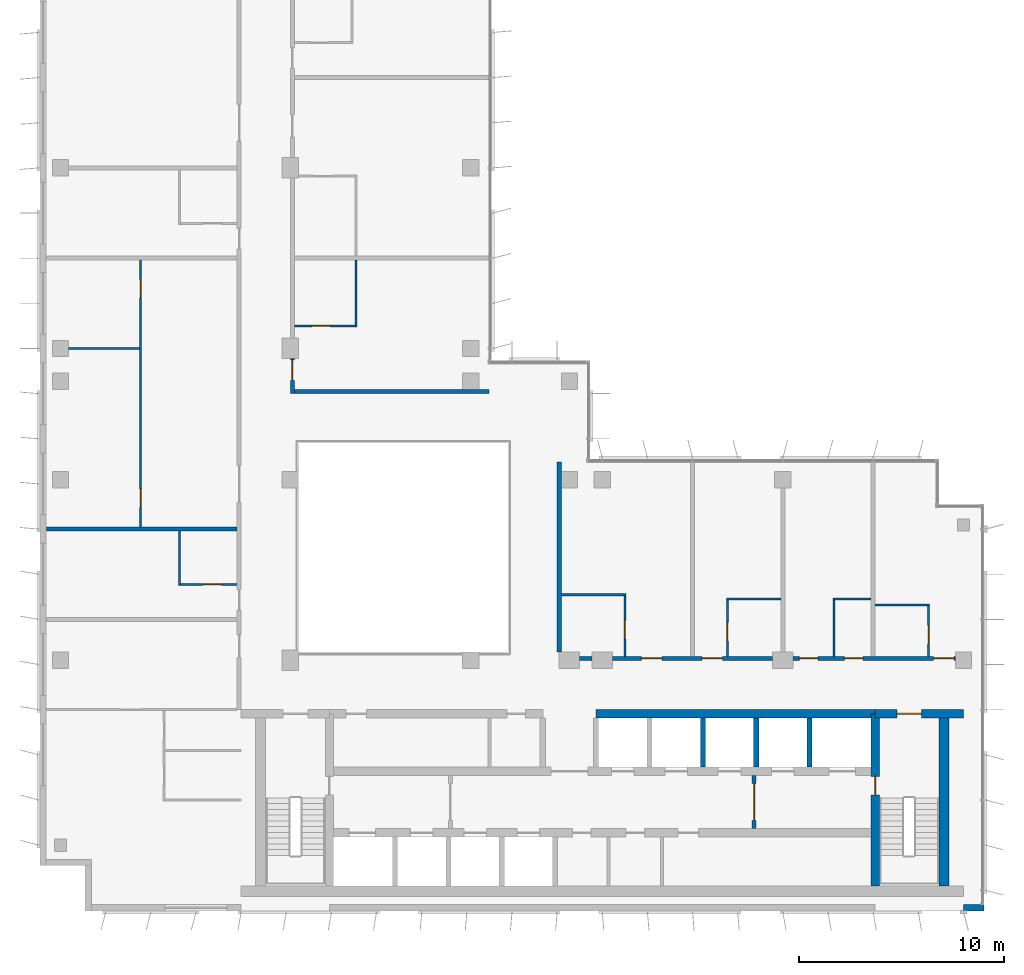
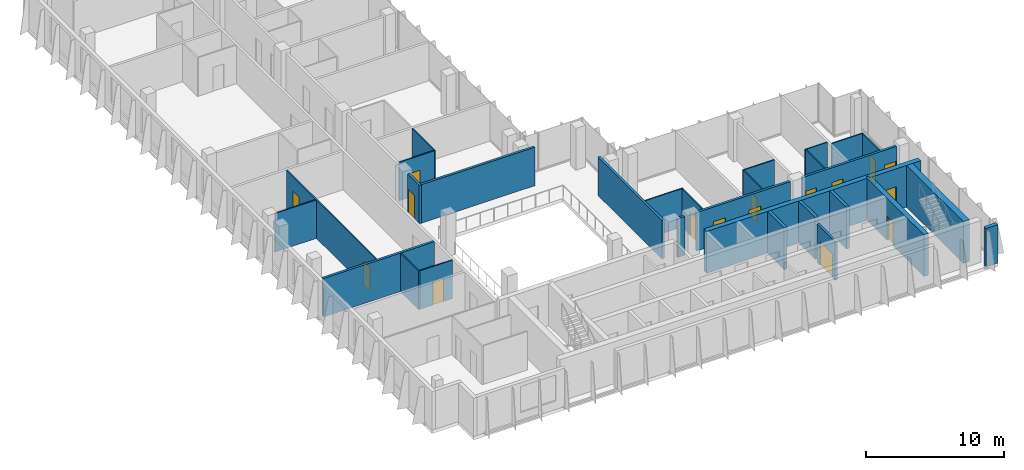
# One storey, part 10 of 15: 30 walls, 16 doors, 16 openings.
"""IFC4 building model written with IfcOpenShell, lengths in metres."""

from ifc_helpers import new_model, si_unit, direction, frame, frame_2d, origin, place, context, subcontext, project, spatial, rectangle, extrude, material, layer, layer_set, type_object, element, fill, save


model = new_model("IFC4")

# Units and contexts
model_context = context("Model", 3, precision=1e-05, world=origin(), true_north=direction((0.0, 1.0)))
body_context = subcontext(model_context, "Body", "Model", "MODEL_VIEW")
ifc_project = project(units=[si_unit("LENGTHUNIT", "METRE"), si_unit("AREAUNIT", "SQUARE_METRE"), si_unit("VOLUMEUNIT", "CUBIC_METRE"), si_unit("PLANEANGLEUNIT", "RADIAN"), si_unit("MASSUNIT", "GRAM", prefix="KILO")], contexts=[model_context])

# Site, building, storey
site_placement = place(None, origin())
site = spatial("IfcSite", under=ifc_project, at=site_placement, CompositionType="ELEMENT")
building_placement = place(site_placement, origin())
building = spatial("IfcBuilding", under=site, at=building_placement, Name="Kemantara Hotel Tower", CompositionType="ELEMENT")
storey_placement = place(building_placement, frame((0.0, 0.0, 275.89990234375)))
storey = spatial("IfcBuildingStorey", under=building, at=storey_placement, Name="L69", CompositionType="ELEMENT", Elevation=275.89990234375)

# Walls
ifc_material_1 = material(Name="Bronze anodised aluminium cladding on insulated steel stud wall", Category="steel")
ifc_layer_1 = layer(ifc_material_1, 0.300048828125)
ifc_layer_set_1 = layer_set([ifc_layer_1], Name="Bronze anodised aluminium cladding on insulated steel stud wall")
wall_type_1 = type_object("IfcWallType", Name="BRONZE METAL-CLAD EXTERNAL WALL 300", PredefinedType="STANDARD", material=ifc_layer_set_1)
wall_1_placement = place(storey_placement, frame((45.0, 0.14990234375, 0.0), z_axis=(0.0, 0.0, 1.0), x_axis=(1.0, 0.0, 0.0)))
element("IfcWall", 1, at=wall_1_placement, inside=storey, type_object=wall_type_1, Name="EXTERNAL WALL L69 T4-R08-3", PredefinedType="STANDARD", context=body_context, shape_type="SweptSolid", body=[
    extrude(rectangle(XDim=1.0, YDim=0.300048828125, at=frame_2d((0.5, 0.0))), origin(), (0.0, 0.0, 1.0), 3.400146484375),
])
ifc_material_2 = material(Name="Concrete fc 50 MPa", Category="concrete")
ifc_layer_2 = layer(ifc_material_2, 0.25)
ifc_layer_set_2 = layer_set([ifc_layer_2], Name="Concrete fc 50 MPa")
wall_type_2 = type_object("IfcWallType", Name="CORE WALL 250 FC50", PredefinedType="SHEAR", material=ifc_layer_set_2)
for number, where, z_axis, x_axis, name in (
    (2, (32.300048828125, 7.0, 0.0), (0.0, 0.0, 1.0), (0.0, 1.0, 0.0), "CORE WALL CW-DN32.3"),
    (3, (34.89990234375, 7.0, 0.0), (0.0, 0.0, 1.0), (0.0, 1.0, 0.0), "CORE WALL CW-DN34.9"),
    (4, (37.5, 7.0, 0.0), (0.0, 0.0, 1.0), (0.0, 1.0, 0.0), "CORE WALL CW-DN37.5"),
):
    element("IfcWall", number, at=place(storey_placement, frame(where, z_axis=z_axis, x_axis=x_axis)), inside=storey, type_object=wall_type_2, Name=name, PredefinedType="SHEAR", context=body_context, shape_type="SweptSolid", body=[
        extrude(rectangle(XDim=2.39990234375, YDim=0.25, at=frame_2d((1.199951171875, 0.0))), origin(), (0.0, 0.0, 1.0), 3.7001953125),
    ])

# Wall, opening, door
ifc_layer_3 = layer(ifc_material_2, 0.39990234375)
ifc_layer_set_3 = layer_set([ifc_layer_3], Name="Concrete fc 50 MPa")
wall_type_3 = type_object("IfcWallType", Name="CORE WALL 400 FC50", PredefinedType="SHEAR", material=ifc_layer_set_3)
wall_2_placement = place(storey_placement, frame((40.699951171875, 9.60009765625, 0.0), z_axis=(0.0, 0.0, 1.0), x_axis=(1.0, 0.0, 0.0)))
wall_2 = element("IfcWall", 5, at=wall_2_placement, inside=storey, type_object=wall_type_3, Name="CORE WALL CW-N2", PredefinedType="SHEAR", context=body_context, shape_type="SweptSolid", body=[
    extrude(rectangle(XDim=4.300048828125, YDim=0.39990234375, at=frame_2d((2.14990234375, 0.0))), origin(), (0.0, 0.0, 1.0), 3.7001953125),
])
opening_1_placement = place(wall_2_placement, frame((1.050048828125, 0.0, 0.0)))
opening_1 = element("IfcOpeningElement", 6, at=opening_1_placement, cuts=wall_2, Name="Opening C40-ST2-C", PredefinedType="OPENING", context=body_context, shape_type="SweptSolid", body=[
    extrude(rectangle(XDim=1.199951171875, YDim=2.10009765625, at=frame_2d((0.60009765625, 1.050048828125))), frame((0.0, 0.2099609375, 0.0), z_axis=(0.0, -1.0, 0.0), x_axis=(1.0, 0.0, 0.0)), (0.0, 0.0, 1.0), 0.419921875),
])
ifc_material_3 = material(Name="Steel fire door", Category="steel")
door_type_1 = type_object("IfcDoorType", Name="Fire door FD90 1200 x 2100", OperationType="NOTDEFINED", PredefinedType="DOOR", material=ifc_material_3)
door_1_placement = place(opening_1_placement, frame((1.199951171875, 0.0, 0.0), z_axis=(0.0, 0.0, 1.0), x_axis=(-1.0, 0.0, 0.0)))
door_1 = element("IfcDoor", 7, at=door_1_placement, inside=storey, type_object=door_type_1, Name="Stair ST2 door to corridor", OperationType="SINGLE_SWING_RIGHT", OverallHeight=2.10009765625, OverallWidth=1.199951171875, PredefinedType="DOOR", context=body_context, shape_type="SweptSolid", body=[
    extrude(rectangle(XDim=1.199951171875, YDim=2.10009765625, at=frame_2d((0.60009765625, 1.050048828125))), frame((0.0, 0.02490234375, 0.0), z_axis=(0.0, -1.0, 0.0), x_axis=(1.0, 0.0, 0.0)), (0.0, 0.0, 1.0), 0.050048828125),
])
fill(opening_1, door_1)

# Wall
wall_3_placement = place(storey_placement, frame((27.10009765625, 9.60009765625, 0.0), z_axis=(0.0, 0.0, 1.0), x_axis=(1.0, 0.0, 0.0)))
element("IfcWall", 8, at=wall_3_placement, inside=storey, type_object=wall_type_3, Name="CORE WALL CW-NN2", PredefinedType="SHEAR", context=body_context, shape_type="SweptSolid", body=[
    extrude(rectangle(XDim=13.599853515625, YDim=0.39990234375, at=frame_2d((6.7998046875, 0.0))), origin(), (0.0, 0.0, 1.0), 3.7001953125),
])

# Wall, opening, door
wall_4_placement = place(storey_placement, frame((40.699951171875, 1.199951171875, 0.0), z_axis=(0.0, 0.0, 1.0), x_axis=(0.0, 1.0, 0.0)))
wall_4 = element("IfcWall", 9, at=wall_4_placement, inside=storey, type_object=wall_type_3, Name="CORE WALL CW-ST2W", PredefinedType="SHEAR", context=body_context, shape_type="SweptSolid", body=[
    extrude(rectangle(XDim=8.400146484375, YDim=0.39990234375, at=frame_2d((4.2001953125, 0.0))), origin(), (0.0, 0.0, 1.0), 3.7001953125),
])
opening_2_placement = place(wall_4_placement, frame((4.449951171875, 0.0, 0.0)))
opening_2 = element("IfcOpeningElement", 10, at=opening_2_placement, cuts=wall_4, Name="Opening C40-ST2-F", PredefinedType="OPENING", context=body_context, shape_type="SweptSolid", body=[
    extrude(rectangle(XDim=0.89990234375, YDim=2.10009765625, at=frame_2d((0.449951171875, 1.050048828125))), frame((0.0, 0.2099609375, 0.0), z_axis=(0.0, -1.0, 0.0), x_axis=(1.0, 0.0, 0.0)), (0.0, 0.0, 1.0), 0.419921875),
])
door_type_2 = type_object("IfcDoorType", Name="Fire door FD90 900 x 2100", OperationType="NOTDEFINED", PredefinedType="DOOR", material=ifc_material_3)
door_2_placement = place(opening_2_placement, frame((0.89990234375, 0.0, 0.0), z_axis=(0.0, 0.0, 1.0), x_axis=(-1.0, 0.0, 0.0)))
door_2 = element("IfcDoor", 11, at=door_2_placement, inside=storey, type_object=door_type_2, Name="Stair ST2 door to firefighting lobby", OperationType="SINGLE_SWING_LEFT", OverallHeight=2.10009765625, OverallWidth=0.89990234375, PredefinedType="DOOR", context=body_context, shape_type="SweptSolid", body=[
    extrude(rectangle(XDim=0.89990234375, YDim=2.10009765625, at=frame_2d((0.449951171875, 1.050048828125))), frame((0.0, 0.02490234375, 0.0), z_axis=(0.0, -1.0, 0.0), x_axis=(1.0, 0.0, 0.0)), (0.0, 0.0, 1.0), 0.050048828125),
])
fill(opening_2, door_2)

# Walls
ifc_layer_4 = layer(ifc_material_2, 0.5)
ifc_layer_set_4 = layer_set([ifc_layer_4], Name="Concrete fc 50 MPa")
wall_type_4 = type_object("IfcWallType", Name="CORE WALL 500 FC50", PredefinedType="SHEAR", material=ifc_layer_set_4)
wall_5_placement = place(storey_placement, frame((44.050048828125, 1.199951171875, 0.0), z_axis=(0.0, 0.0, 1.0), x_axis=(0.0, 1.0, 0.0)))
element("IfcWall", 12, at=wall_5_placement, inside=storey, type_object=wall_type_4, Name="CORE WALL CW-E", PredefinedType="SHEAR", context=body_context, shape_type="SweptSolid", body=[
    extrude(rectangle(XDim=8.60009765625, YDim=0.5, at=frame_2d((4.300048828125, 0.0))), origin(), (0.0, 0.0, 1.0), 3.7001953125),
])
ifc_material_4 = material(Name="Gypsum board partition, steel studs and mineral wool, 200 mm", Category="steel")
ifc_layer_5 = layer(ifc_material_4, 0.199951171875)
ifc_layer_set_5 = layer_set([ifc_layer_5], Name="Gypsum board partition, steel studs and mineral wool, 200 mm")
wall_type_5 = type_object("IfcWallType", Name="CORRIDOR WALL 200", PredefinedType="PARTITIONING", material=ifc_layer_set_5)
wall_6_placement = place(storey_placement, frame((26.300048828125, 12.300048828125, 0.0), z_axis=(0.0, 0.0, 1.0), x_axis=(1.0, 0.0, 0.0)))
element("IfcWall", 13, at=wall_6_placement, inside=storey, type_object=wall_type_5, Name="CORRIDOR WALL 200 001", PredefinedType="PARTITIONING", context=body_context, shape_type="SweptSolid", body=[
    extrude(rectangle(XDim=0.599853515625, YDim=0.199951171875, at=frame_2d((0.2998046875, 0.0))), origin(), (0.0, 0.0, 1.0), 3.400146484375),
])

# Wall, openings, doors
wall_7_placement = place(storey_placement, frame((27.900146484375, 12.300048828125, 0.0), z_axis=(0.0, 0.0, 1.0), x_axis=(1.0, 0.0, 0.0)))
wall_7 = element("IfcWall", 14, at=wall_7_placement, inside=storey, type_object=wall_type_5, Name="CORRIDOR WALL 200 002", PredefinedType="PARTITIONING", context=body_context, shape_type="SweptSolid", body=[
    extrude(rectangle(XDim=7.7998046875, YDim=0.199951171875, at=frame_2d((3.89990234375, 0.0))), origin(), (0.0, 0.0, 1.0), 3.400146484375),
])
opening_3_placement = place(wall_7_placement, frame((1.39990234375, 0.0, 0.0)))
opening_3 = element("IfcOpeningElement", 15, at=opening_3_placement, cuts=wall_7, Name="Opening F34-001", PredefinedType="OPENING", context=body_context, shape_type="SweptSolid", body=[
    extrude(rectangle(XDim=1.0, YDim=2.10009765625, at=frame_2d((0.5, 1.050048828125))), frame((0.0, 0.10986328125, 0.0), z_axis=(0.0, -1.0, 0.0), x_axis=(1.0, 0.0, 0.0)), (0.0, 0.0, 1.0), 0.219970703125),
])
opening_4_placement = place(wall_7_placement, frame((4.349853515625, 0.0, 0.0)))
opening_4 = element("IfcOpeningElement", 16, at=opening_4_placement, cuts=wall_7, Name="Opening F34-003", PredefinedType="OPENING", context=body_context, shape_type="SweptSolid", body=[
    extrude(rectangle(XDim=1.0, YDim=2.10009765625, at=frame_2d((0.5, 1.050048828125))), frame((0.0, 0.10986328125, 0.0), z_axis=(0.0, -1.0, 0.0), x_axis=(1.0, 0.0, 0.0)), (0.0, 0.0, 1.0), 0.219970703125),
])
ifc_material_5 = material(Name="Hardwood veneer door leaf with steel frame", Category="steel")
door_type_3 = type_object("IfcDoorType", Name="GUEST ROOM DOOR 1000 X 2100 FD30S", OperationType="NOTDEFINED", PredefinedType="DOOR", material=ifc_material_5)
door_3_placement = place(opening_3_placement, origin())
door_3 = element("IfcDoor", 17, at=door_3_placement, inside=storey, type_object=door_type_3, Name="GUEST ROOM DOOR F34-001", OperationType="SINGLE_SWING_RIGHT", OverallHeight=2.10009765625, OverallWidth=1.0, PredefinedType="DOOR", context=body_context, shape_type="SweptSolid", body=[
    extrude(rectangle(XDim=1.0, YDim=2.10009765625, at=frame_2d((0.5, 1.050048828125))), frame((0.0, 0.02490234375, 0.0), z_axis=(0.0, -1.0, 0.0), x_axis=(1.0, 0.0, 0.0)), (0.0, 0.0, 1.0), 0.050048828125),
])
fill(opening_3, door_3)
door_4_placement = place(opening_4_placement, origin())
door_4 = element("IfcDoor", 18, at=door_4_placement, inside=storey, type_object=door_type_3, Name="GUEST ROOM DOOR F34-003", OperationType="SINGLE_SWING_LEFT", OverallHeight=2.10009765625, OverallWidth=1.0, PredefinedType="DOOR", context=body_context, shape_type="SweptSolid", body=[
    extrude(rectangle(XDim=1.0, YDim=2.10009765625, at=frame_2d((0.5, 1.050048828125))), frame((0.0, 0.02490234375, 0.0), z_axis=(0.0, -1.0, 0.0), x_axis=(1.0, 0.0, 0.0)), (0.0, 0.0, 1.0), 0.050048828125),
])
fill(opening_4, door_4)

wall_8_placement = place(storey_placement, frame((36.7001953125, 12.300048828125, 0.0), z_axis=(0.0, 0.0, 1.0), x_axis=(1.0, 0.0, 0.0)))
wall_8 = element("IfcWall", 19, at=wall_8_placement, inside=storey, type_object=wall_type_5, Name="CORRIDOR WALL 200 003", PredefinedType="PARTITIONING", context=body_context, shape_type="SweptSolid", body=[
    extrude(rectangle(XDim=7.899658203125, YDim=0.199951171875, at=frame_2d((3.94970703125, 0.0))), origin(), (0.0, 0.0, 1.0), 3.400146484375),
])
opening_5_placement = place(wall_8_placement, frame((0.2998046875, 0.0, 0.0)))
opening_5 = element("IfcOpeningElement", 20, at=opening_5_placement, cuts=wall_8, Name="Opening F34-005", PredefinedType="OPENING", context=body_context, shape_type="SweptSolid", body=[
    extrude(rectangle(XDim=0.89990234375, YDim=2.10009765625, at=frame_2d((0.449951171875, 1.050048828125))), frame((0.0, 0.10986328125, 0.0), z_axis=(0.0, -1.0, 0.0), x_axis=(1.0, 0.0, 0.0)), (0.0, 0.0, 1.0), 0.219970703125),
])
opening_6_placement = place(wall_8_placement, frame((2.5, 0.0, 0.0)))
opening_6 = element("IfcOpeningElement", 21, at=opening_6_placement, cuts=wall_8, Name="Opening F34-006", PredefinedType="OPENING", context=body_context, shape_type="SweptSolid", body=[
    extrude(rectangle(XDim=0.89990234375, YDim=2.10009765625, at=frame_2d((0.449951171875, 1.050048828125))), frame((0.0, 0.10986328125, 0.0), z_axis=(0.0, -1.0, 0.0), x_axis=(1.0, 0.0, 0.0)), (0.0, 0.0, 1.0), 0.219970703125),
])
opening_7_placement = place(wall_8_placement, frame((6.849853515625, 0.0, 0.0)))
opening_7 = element("IfcOpeningElement", 22, at=opening_7_placement, cuts=wall_8, Name="Opening F34-007", PredefinedType="OPENING", context=body_context, shape_type="SweptSolid", body=[
    extrude(rectangle(XDim=1.0, YDim=2.10009765625, at=frame_2d((0.5, 1.050048828125))), frame((0.0, 0.10986328125, 0.0), z_axis=(0.0, -1.0, 0.0), x_axis=(1.0, 0.0, 0.0)), (0.0, 0.0, 1.0), 0.219970703125),
])
door_5_placement = place(opening_7_placement, origin())
door_5 = element("IfcDoor", 23, at=door_5_placement, inside=storey, type_object=door_type_3, Name="GUEST ROOM DOOR F34-007", OperationType="SINGLE_SWING_RIGHT", OverallHeight=2.10009765625, OverallWidth=1.0, PredefinedType="DOOR", context=body_context, shape_type="SweptSolid", body=[
    extrude(rectangle(XDim=1.0, YDim=2.10009765625, at=frame_2d((0.5, 1.050048828125))), frame((0.0, 0.02490234375, 0.0), z_axis=(0.0, -1.0, 0.0), x_axis=(1.0, 0.0, 0.0)), (0.0, 0.0, 1.0), 0.050048828125),
])
fill(opening_7, door_5)
ifc_material_6 = material(Name="Steel door leaf with steel frame", Category="steel")
door_type_4 = type_object("IfcDoorType", Name="SERVICE ROOM DOOR 900 X 2100 FD60", OperationType="NOTDEFINED", PredefinedType="DOOR", material=ifc_material_6)
door_6_placement = place(opening_5_placement, origin())
door_6 = element("IfcDoor", 24, at=door_6_placement, inside=storey, type_object=door_type_4, Name="SERVICE ROOM DOOR F34-005", OperationType="SINGLE_SWING_LEFT", OverallHeight=2.10009765625, OverallWidth=0.89990234375, PredefinedType="DOOR", context=body_context, shape_type="SweptSolid", body=[
    extrude(rectangle(XDim=0.89990234375, YDim=2.10009765625, at=frame_2d((0.449951171875, 1.050048828125))), frame((0.0, 0.02490234375, 0.0), z_axis=(0.0, -1.0, 0.0), x_axis=(1.0, 0.0, 0.0)), (0.0, 0.0, 1.0), 0.050048828125),
])
fill(opening_5, door_6)
door_7_placement = place(opening_6_placement, origin())
door_7 = element("IfcDoor", 25, at=door_7_placement, inside=storey, type_object=door_type_4, Name="SERVICE ROOM DOOR F34-006", OperationType="SINGLE_SWING_RIGHT", OverallHeight=2.10009765625, OverallWidth=0.89990234375, PredefinedType="DOOR", context=body_context, shape_type="SweptSolid", body=[
    extrude(rectangle(XDim=0.89990234375, YDim=2.10009765625, at=frame_2d((0.449951171875, 1.050048828125))), frame((0.0, 0.02490234375, 0.0), z_axis=(0.0, -1.0, 0.0), x_axis=(1.0, 0.0, 0.0)), (0.0, 0.0, 1.0), 0.050048828125),
])
fill(opening_6, door_7)

# Wall, opening, door
wall_9_placement = place(storey_placement, frame((12.300048828125, 26.89990234375, 0.0), z_axis=(0.0, 0.0, 1.0), x_axis=(0.0, -1.0, 0.0)))
wall_9 = element("IfcWall", 26, at=wall_9_placement, inside=storey, type_object=wall_type_5, Name="CORRIDOR WALL 200 017", PredefinedType="PARTITIONING", context=body_context, shape_type="SweptSolid", body=[
    extrude(rectangle(XDim=1.699951171875, YDim=0.199951171875, at=frame_2d((0.85009765625, 0.0))), origin(), (0.0, 0.0, 1.0), 3.400146484375),
])
opening_8_placement = place(wall_9_placement, frame((0.0498046875, 0.0, 0.0)))
opening_8 = element("IfcOpeningElement", 27, at=opening_8_placement, cuts=wall_9, Name="Opening F34-024", PredefinedType="OPENING", context=body_context, shape_type="SweptSolid", body=[
    extrude(rectangle(XDim=1.0, YDim=2.10009765625, at=frame_2d((0.5, 1.050048828125))), frame((0.0, 0.10986328125, 0.0), z_axis=(0.0, -1.0, 0.0), x_axis=(1.0, 0.0, 0.0)), (0.0, 0.0, 1.0), 0.219970703125),
])
door_8_placement = place(opening_8_placement, origin())
door_8 = element("IfcDoor", 28, at=door_8_placement, inside=storey, type_object=door_type_3, Name="GUEST ROOM DOOR F34-024", OperationType="SINGLE_SWING_RIGHT", OverallHeight=2.10009765625, OverallWidth=1.0, PredefinedType="DOOR", context=body_context, shape_type="SweptSolid", body=[
    extrude(rectangle(XDim=1.0, YDim=2.10009765625, at=frame_2d((0.5, 1.050048828125))), frame((0.0, 0.02490234375, 0.0), z_axis=(0.0, -1.0, 0.0), x_axis=(1.0, 0.0, 0.0)), (0.0, 0.0, 1.0), 0.050048828125),
])
fill(opening_8, door_8)

# Walls
ifc_layer_6 = layer(ifc_material_4, 0.199951171875)
ifc_layer_set_6 = layer_set([ifc_layer_6], Name="Gypsum board partition, steel studs and mineral wool, 200 mm")
wall_type_6 = type_object("IfcWallType", Name="GUEST ROOM PARTY WALL 200", PredefinedType="PARTITIONING", material=ifc_layer_set_6)
wall_10_placement = place(storey_placement, frame((25.300048828125, 12.60009765625, 0.0), z_axis=(0.0, 0.0, 1.0), x_axis=(0.0, 1.0, 0.0)))
element("IfcWall", 29, at=wall_10_placement, inside=storey, type_object=wall_type_6, Name="GUEST ROOM PARTY WALL 200 004", PredefinedType="PARTITIONING", context=body_context, shape_type="SweptSolid", body=[
    extrude(rectangle(XDim=9.27001953125, YDim=0.199951171875, at=frame_2d((4.635009765625, 0.0))), origin(), (0.0, 0.0, 1.0), 3.400146484375),
])
wall_11_placement = place(storey_placement, frame((0.31005859375, 18.60009765625, 0.0), z_axis=(0.0, 0.0, 1.0), x_axis=(1.0, 0.0, 0.0)))
element("IfcWall", 30, at=wall_11_placement, inside=storey, type_object=wall_type_6, Name="GUEST ROOM PARTY WALL 200 011", PredefinedType="PARTITIONING", context=body_context, shape_type="SweptSolid", body=[
    extrude(rectangle(XDim=9.2900390625, YDim=0.199951171875, at=frame_2d((4.64501953125, 0.0))), origin(), (0.0, 0.0, 1.0), 3.400146484375),
])
wall_12_placement = place(storey_placement, frame((12.39990234375, 25.300048828125, 0.0), z_axis=(0.0, 0.0, 1.0), x_axis=(1.0, 0.0, 0.0)))
element("IfcWall", 31, at=wall_12_placement, inside=storey, type_object=wall_type_6, Name="GUEST ROOM PARTY WALL 200 022", PredefinedType="PARTITIONING", context=body_context, shape_type="SweptSolid", body=[
    extrude(rectangle(XDim=9.47021484375, YDim=0.199951171875, at=frame_2d((4.735107421875, 0.0))), origin(), (0.0, 0.0, 1.0), 3.400146484375),
])

# Wall, opening, door
ifc_material_7 = material(Name="Gypsum board shaft wall")
ifc_layer_7 = layer(ifc_material_7, 0.199951171875)
ifc_layer_set_7 = layer_set([ifc_layer_7], Name="Gypsum board shaft wall")
wall_type_7 = type_object("IfcWallType", Name="Gypsum board shaft wall 200 mm", PredefinedType="PARTITIONING", material=ifc_layer_set_7)
wall_13_placement = place(storey_placement, frame((34.800048828125, 4.0, 0.0), z_axis=(0.0, 0.0, 1.0), x_axis=(0.0, 1.0, 0.0)))
wall_13 = element("IfcWall", 32, at=wall_13_placement, inside=storey, type_object=wall_type_7, Name="Firefighting lobby partition east", PredefinedType="PARTITIONING", context=body_context, shape_type="SweptSolid", body=[
    extrude(rectangle(XDim=2.60009765625, YDim=0.199951171875, at=frame_2d((1.300048828125, 0.0))), origin(), (0.0, 0.0, 1.0), 3.400146484375),
])
opening_9_placement = place(wall_13_placement, frame((0.39990234375, 0.0, 0.0)))
opening_9 = element("IfcOpeningElement", 33, at=opening_9_placement, cuts=wall_13, Name="Opening C40-FFE", PredefinedType="OPENING", context=body_context, shape_type="SweptSolid", body=[
    extrude(rectangle(XDim=1.800048828125, YDim=2.10009765625, at=frame_2d((0.89990234375, 1.050048828125))), frame((0.0, 0.10986328125, 0.0), z_axis=(0.0, -1.0, 0.0), x_axis=(1.0, 0.0, 0.0)), (0.0, 0.0, 1.0), 0.219970703125),
])
door_type_5 = type_object("IfcDoorType", Name="Fire door pair FD60 1800 x 2100", OperationType="DOUBLE_DOOR_SINGLE_SWING", PredefinedType="DOOR", material=ifc_material_3)
door_9_placement = place(opening_9_placement, frame((1.800048828125, 0.0, 0.0), z_axis=(0.0, 0.0, 1.0), x_axis=(-1.0, 0.0, 0.0)))
door_9 = element("IfcDoor", 34, at=door_9_placement, inside=storey, type_object=door_type_5, Name="Firefighting lobby door east", OperationType="DOUBLE_DOOR_SINGLE_SWING", OverallHeight=2.10009765625, OverallWidth=1.800048828125, PredefinedType="DOOR", context=body_context, shape_type="SweptSolid", body=[
    extrude(rectangle(XDim=1.800048828125, YDim=2.10009765625, at=frame_2d((0.89990234375, 1.050048828125))), frame((0.0, 0.02490234375, 0.0), z_axis=(0.0, -1.0, 0.0), x_axis=(1.0, 0.0, 0.0)), (0.0, 0.0, 1.0), 0.050048828125),
])
fill(opening_9, door_9)

# Wall
ifc_material_8 = material(Name="Gypsum board partition on steel studs, 100 mm", Category="steel")
ifc_layer_8 = layer(ifc_material_8, 0.10009765625)
ifc_layer_set_8 = layer_set([ifc_layer_8], Name="Gypsum board partition on steel studs, 100 mm")
wall_type_8 = type_object("IfcWallType", Name="ROOM PARTITION 100", PredefinedType="PARTITIONING", material=ifc_layer_set_8)
wall_14_placement = place(storey_placement, frame((25.39990234375, 15.39990234375, 0.0), z_axis=(0.0, 0.0, 1.0), x_axis=(1.0, 0.0, 0.0)))
element("IfcWall", 35, at=wall_14_placement, inside=storey, type_object=wall_type_8, Name="ROOM PARTITION 100 025", PredefinedType="PARTITIONING", context=body_context, shape_type="SweptSolid", body=[
    extrude(rectangle(XDim=3.150146484375, YDim=0.10009765625, at=frame_2d((1.5751953125, 0.0))), origin(), (0.0, 0.0, 1.0), 3.400146484375),
])

# Wall, opening, door
wall_15_placement = place(storey_placement, frame((28.5, 12.39990234375, 0.0), z_axis=(0.0, 0.0, 1.0), x_axis=(0.0, 1.0, 0.0)))
wall_15 = element("IfcWall", 36, at=wall_15_placement, inside=storey, type_object=wall_type_8, Name="ROOM PARTITION 100 026", PredefinedType="PARTITIONING", context=body_context, shape_type="SweptSolid", body=[
    extrude(rectangle(XDim=2.9501953125, YDim=0.10009765625, at=frame_2d((1.47509765625, 0.0))), origin(), (0.0, 0.0, 1.0), 3.400146484375),
])
opening_10_placement = place(wall_15_placement, frame((0.85009765625, 0.0, 0.0)))
opening_10 = element("IfcOpeningElement", 37, at=opening_10_placement, cuts=wall_15, Name="Opening F34-002", PredefinedType="OPENING", context=body_context, shape_type="SweptSolid", body=[
    extrude(rectangle(XDim=0.89990234375, YDim=2.10009765625, at=frame_2d((0.449951171875, 1.050048828125))), frame((0.0, 0.06005859375, 0.0), z_axis=(0.0, -1.0, 0.0), x_axis=(1.0, 0.0, 0.0)), (0.0, 0.0, 1.0), 0.1201171875),
])
door_type_6 = type_object("IfcDoorType", Name="BATHROOM DOOR 900 X 2100", OperationType="NOTDEFINED", PredefinedType="DOOR", material=ifc_material_5)
door_10_placement = place(opening_10_placement, origin())
door_10 = element("IfcDoor", 38, at=door_10_placement, inside=storey, type_object=door_type_6, Name="BATHROOM DOOR F34-002", OperationType="SINGLE_SWING_LEFT", OverallHeight=2.10009765625, OverallWidth=0.89990234375, PredefinedType="DOOR", context=body_context, shape_type="SweptSolid", body=[
    extrude(rectangle(XDim=0.89990234375, YDim=2.10009765625, at=frame_2d((0.449951171875, 1.050048828125))), frame((0.0, 0.02490234375, 0.0), z_axis=(0.0, -1.0, 0.0), x_axis=(1.0, 0.0, 0.0)), (0.0, 0.0, 1.0), 0.050048828125),
])
fill(opening_10, door_10)

# Walls
wall_16_placement = place(storey_placement, frame((33.449951171875, 15.199951171875, 0.0), z_axis=(0.0, 0.0, 1.0), x_axis=(1.0, 0.0, 0.0)))
element("IfcWall", 39, at=wall_16_placement, inside=storey, type_object=wall_type_8, Name="ROOM PARTITION 100 027", PredefinedType="PARTITIONING", context=body_context, shape_type="SweptSolid", body=[
    extrude(rectangle(XDim=2.650146484375, YDim=0.10009765625, at=frame_2d((1.3251953125, 0.0))), origin(), (0.0, 0.0, 1.0), 3.400146484375),
])
wall_17_placement = place(storey_placement, frame((38.64990234375, 15.199951171875, 0.0), z_axis=(0.0, 0.0, 1.0), x_axis=(1.0, 0.0, 0.0)))
element("IfcWall", 40, at=wall_17_placement, inside=storey, type_object=wall_type_8, Name="ROOM PARTITION 100 028", PredefinedType="PARTITIONING", context=body_context, shape_type="SweptSolid", body=[
    extrude(rectangle(XDim=1.85009765625, YDim=0.10009765625, at=frame_2d((0.925048828125, 0.0))), origin(), (0.0, 0.0, 1.0), 3.400146484375),
])

# Wall, opening, door
wall_18_placement = place(storey_placement, frame((33.5, 15.14990234375, 0.0), z_axis=(0.0, 0.0, 1.0), x_axis=(0.0, -1.0, 0.0)))
wall_18 = element("IfcWall", 41, at=wall_18_placement, inside=storey, type_object=wall_type_8, Name="ROOM PARTITION 100 029", PredefinedType="PARTITIONING", context=body_context, shape_type="SweptSolid", body=[
    extrude(rectangle(XDim=2.75, YDim=0.10009765625, at=frame_2d((1.375, 0.0))), origin(), (0.0, 0.0, 1.0), 3.400146484375),
])
opening_11_placement = place(wall_18_placement, frame((1.10009765625, 0.0, 0.0)))
opening_11 = element("IfcOpeningElement", 42, at=opening_11_placement, cuts=wall_18, Name="Opening F34-004", PredefinedType="OPENING", context=body_context, shape_type="SweptSolid", body=[
    extrude(rectangle(XDim=0.89990234375, YDim=2.10009765625, at=frame_2d((0.449951171875, 1.050048828125))), frame((0.0, 0.06005859375, 0.0), z_axis=(0.0, -1.0, 0.0), x_axis=(1.0, 0.0, 0.0)), (0.0, 0.0, 1.0), 0.1201171875),
])
door_11_placement = place(opening_11_placement, origin())
door_11 = element("IfcDoor", 43, at=door_11_placement, inside=storey, type_object=door_type_6, Name="BATHROOM DOOR F34-004", OperationType="SINGLE_SWING_RIGHT", OverallHeight=2.10009765625, OverallWidth=0.89990234375, PredefinedType="DOOR", context=body_context, shape_type="SweptSolid", body=[
    extrude(rectangle(XDim=0.89990234375, YDim=2.10009765625, at=frame_2d((0.449951171875, 1.050048828125))), frame((0.0, 0.02490234375, 0.0), z_axis=(0.0, -1.0, 0.0), x_axis=(1.0, 0.0, 0.0)), (0.0, 0.0, 1.0), 0.050048828125),
])
fill(opening_11, door_11)

# Walls
wall_19_placement = place(storey_placement, frame((38.699951171875, 12.39990234375, 0.0), z_axis=(0.0, 0.0, 1.0), x_axis=(0.0, 1.0, 0.0)))
element("IfcWall", 44, at=wall_19_placement, inside=storey, type_object=wall_type_8, Name="ROOM PARTITION 100 030", PredefinedType="PARTITIONING", context=body_context, shape_type="SweptSolid", body=[
    extrude(rectangle(XDim=2.75, YDim=0.10009765625, at=frame_2d((1.375, 0.0))), origin(), (0.0, 0.0, 1.0), 3.400146484375),
])
wall_20_placement = place(storey_placement, frame((40.699951171875, 14.89990234375, 0.0), z_axis=(0.0, 0.0, 1.0), x_axis=(1.0, 0.0, 0.0)))
element("IfcWall", 45, at=wall_20_placement, inside=storey, type_object=wall_type_8, Name="ROOM PARTITION 100 031", PredefinedType="PARTITIONING", context=body_context, shape_type="SweptSolid", body=[
    extrude(rectangle(XDim=2.650146484375, YDim=0.10009765625, at=frame_2d((1.3251953125, 0.0))), origin(), (0.0, 0.0, 1.0), 3.400146484375),
])

# Wall, opening, door
wall_21_placement = place(storey_placement, frame((43.300048828125, 12.39990234375, 0.0), z_axis=(0.0, 0.0, 1.0), x_axis=(0.0, 1.0, 0.0)))
wall_21 = element("IfcWall", 46, at=wall_21_placement, inside=storey, type_object=wall_type_8, Name="ROOM PARTITION 100 032", PredefinedType="PARTITIONING", context=body_context, shape_type="SweptSolid", body=[
    extrude(rectangle(XDim=2.4501953125, YDim=0.10009765625, at=frame_2d((1.22509765625, 0.0))), origin(), (0.0, 0.0, 1.0), 3.400146484375),
])
opening_12_placement = place(wall_21_placement, frame((0.60009765625, 0.0, 0.0)))
opening_12 = element("IfcOpeningElement", 47, at=opening_12_placement, cuts=wall_21, Name="Opening F34-008", PredefinedType="OPENING", context=body_context, shape_type="SweptSolid", body=[
    extrude(rectangle(XDim=0.89990234375, YDim=2.10009765625, at=frame_2d((0.449951171875, 1.050048828125))), frame((0.0, 0.06005859375, 0.0), z_axis=(0.0, -1.0, 0.0), x_axis=(1.0, 0.0, 0.0)), (0.0, 0.0, 1.0), 0.1201171875),
])
door_12_placement = place(opening_12_placement, origin())
door_12 = element("IfcDoor", 48, at=door_12_placement, inside=storey, type_object=door_type_6, Name="BATHROOM DOOR F34-008", OperationType="SINGLE_SWING_LEFT", OverallHeight=2.10009765625, OverallWidth=0.89990234375, PredefinedType="DOOR", context=body_context, shape_type="SweptSolid", body=[
    extrude(rectangle(XDim=0.89990234375, YDim=2.10009765625, at=frame_2d((0.449951171875, 1.050048828125))), frame((0.0, 0.02490234375, 0.0), z_axis=(0.0, -1.0, 0.0), x_axis=(1.0, 0.0, 0.0)), (0.0, 0.0, 1.0), 0.050048828125),
])
fill(opening_12, door_12)

# Wall
wall_22_placement = place(storey_placement, frame((6.800048828125, 15.85009765625, 0.0), z_axis=(0.0, 0.0, 1.0), x_axis=(0.0, 1.0, 0.0)))
element("IfcWall", 49, at=wall_22_placement, inside=storey, type_object=wall_type_8, Name="ROOM PARTITION 100 037", PredefinedType="PARTITIONING", context=body_context, shape_type="SweptSolid", body=[
    extrude(rectangle(XDim=2.64990234375, YDim=0.10009765625, at=frame_2d((1.324951171875, 0.0))), origin(), (0.0, 0.0, 1.0), 3.400146484375),
])

# Wall, opening, door
wall_23_placement = place(storey_placement, frame((6.85009765625, 15.89990234375, 0.0), z_axis=(0.0, 0.0, 1.0), x_axis=(1.0, 0.0, 0.0)))
wall_23 = element("IfcWall", 50, at=wall_23_placement, inside=storey, type_object=wall_type_8, Name="ROOM PARTITION 100 039", PredefinedType="PARTITIONING", context=body_context, shape_type="SweptSolid", body=[
    extrude(rectangle(XDim=2.75, YDim=0.10009765625, at=frame_2d((1.375, 0.0))), origin(), (0.0, 0.0, 1.0), 3.400146484375),
])
opening_13_placement = place(wall_23_placement, frame((1.10009765625, 0.0, 0.0)))
opening_13 = element("IfcOpeningElement", 51, at=opening_13_placement, cuts=wall_23, Name="Opening F34-014", PredefinedType="OPENING", context=body_context, shape_type="SweptSolid", body=[
    extrude(rectangle(XDim=0.89990234375, YDim=2.10009765625, at=frame_2d((0.449951171875, 1.050048828125))), frame((0.0, 0.06005859375, 0.0), z_axis=(0.0, -1.0, 0.0), x_axis=(1.0, 0.0, 0.0)), (0.0, 0.0, 1.0), 0.1201171875),
])
door_13_placement = place(opening_13_placement, origin())
door_13 = element("IfcDoor", 52, at=door_13_placement, inside=storey, type_object=door_type_6, Name="BATHROOM DOOR F34-014", OperationType="SINGLE_SWING_RIGHT", OverallHeight=2.10009765625, OverallWidth=0.89990234375, PredefinedType="DOOR", context=body_context, shape_type="SweptSolid", body=[
    extrude(rectangle(XDim=0.89990234375, YDim=2.10009765625, at=frame_2d((0.449951171875, 1.050048828125))), frame((0.0, 0.02490234375, 0.0), z_axis=(0.0, -1.0, 0.0), x_axis=(1.0, 0.0, 0.0)), (0.0, 0.0, 1.0), 0.050048828125),
])
fill(opening_13, door_13)

# Wall, openings, doors
wall_24_placement = place(storey_placement, frame((4.89990234375, 18.699951171875, 0.0), z_axis=(0.0, 0.0, 1.0), x_axis=(0.0, 1.0, 0.0)))
wall_24 = element("IfcWall", 53, at=wall_24_placement, inside=storey, type_object=wall_type_8, Name="ROOM PARTITION 100 040", PredefinedType="PARTITIONING", context=body_context, shape_type="SweptSolid", body=[
    extrude(rectangle(XDim=13.0, YDim=0.10009765625, at=frame_2d((6.5, 0.0))), origin(), (0.0, 0.0, 1.0), 3.400146484375),
])
opening_14_placement = place(wall_24_placement, frame((0.949951171875, 0.0, 0.0)))
opening_14 = element("IfcOpeningElement", 54, at=opening_14_placement, cuts=wall_24, Name="Opening F34-016", PredefinedType="OPENING", context=body_context, shape_type="SweptSolid", body=[
    extrude(rectangle(XDim=0.89990234375, YDim=2.10009765625, at=frame_2d((0.449951171875, 1.050048828125))), frame((0.0, 0.06005859375, 0.0), z_axis=(0.0, -1.0, 0.0), x_axis=(1.0, 0.0, 0.0)), (0.0, 0.0, 1.0), 0.1201171875),
])
opening_15_placement = place(wall_24_placement, frame((11.14990234375, 0.0, 0.0)))
opening_15 = element("IfcOpeningElement", 55, at=opening_15_placement, cuts=wall_24, Name="Opening F34-017", PredefinedType="OPENING", context=body_context, shape_type="SweptSolid", body=[
    extrude(rectangle(XDim=0.89990234375, YDim=2.10009765625, at=frame_2d((0.449951171875, 1.050048828125))), frame((0.0, 0.06005859375, 0.0), z_axis=(0.0, -1.0, 0.0), x_axis=(1.0, 0.0, 0.0)), (0.0, 0.0, 1.0), 0.1201171875),
])
door_type_7 = type_object("IfcDoorType", Name="INTERNAL DOOR 900 X 2100", OperationType="NOTDEFINED", PredefinedType="DOOR", material=ifc_material_5)
door_14_placement = place(opening_14_placement, origin())
door_14 = element("IfcDoor", 56, at=door_14_placement, inside=storey, type_object=door_type_7, Name="INTERNAL DOOR F34-016", OperationType="SINGLE_SWING_LEFT", OverallHeight=2.10009765625, OverallWidth=0.89990234375, PredefinedType="DOOR", context=body_context, shape_type="SweptSolid", body=[
    extrude(rectangle(XDim=0.89990234375, YDim=2.10009765625, at=frame_2d((0.449951171875, 1.050048828125))), frame((0.0, 0.02490234375, 0.0), z_axis=(0.0, -1.0, 0.0), x_axis=(1.0, 0.0, 0.0)), (0.0, 0.0, 1.0), 0.050048828125),
])
fill(opening_14, door_14)
door_15_placement = place(opening_15_placement, origin())
door_15 = element("IfcDoor", 57, at=door_15_placement, inside=storey, type_object=door_type_7, Name="INTERNAL DOOR F34-017", OperationType="SINGLE_SWING_RIGHT", OverallHeight=2.10009765625, OverallWidth=0.89990234375, PredefinedType="DOOR", context=body_context, shape_type="SweptSolid", body=[
    extrude(rectangle(XDim=0.89990234375, YDim=2.10009765625, at=frame_2d((0.449951171875, 1.050048828125))), frame((0.0, 0.02490234375, 0.0), z_axis=(0.0, -1.0, 0.0), x_axis=(1.0, 0.0, 0.0)), (0.0, 0.0, 1.0), 0.050048828125),
])
fill(opening_15, door_15)

# Walls
wall_25_placement = place(storey_placement, frame((1.400146484375, 27.39990234375, 0.0), z_axis=(0.0, 0.0, 1.0), x_axis=(1.0, 0.0, 0.0)))
element("IfcWall", 58, at=wall_25_placement, inside=storey, type_object=wall_type_8, Name="ROOM PARTITION 100 041", PredefinedType="PARTITIONING", context=body_context, shape_type="SweptSolid", body=[
    extrude(rectangle(XDim=3.449951171875, YDim=0.10009765625, at=frame_2d((1.72509765625, 0.0))), origin(), (0.0, 0.0, 1.0), 3.400146484375),
])
wall_26_placement = place(storey_placement, frame((15.39990234375, 28.449951171875, 0.0), z_axis=(0.0, 0.0, 1.0), x_axis=(0.0, 1.0, 0.0)))
element("IfcWall", 59, at=wall_26_placement, inside=storey, type_object=wall_type_8, Name="ROOM PARTITION 100 048", PredefinedType="PARTITIONING", context=body_context, shape_type="SweptSolid", body=[
    extrude(rectangle(XDim=3.25, YDim=0.10009765625, at=frame_2d((1.625, 0.0))), origin(), (0.0, 0.0, 1.0), 3.400146484375),
])

# Wall, opening, door
wall_27_placement = place(storey_placement, frame((12.39990234375, 28.5, 0.0), z_axis=(0.0, 0.0, 1.0), x_axis=(1.0, 0.0, 0.0)))
wall_27 = element("IfcWall", 60, at=wall_27_placement, inside=storey, type_object=wall_type_8, Name="ROOM PARTITION 100 050", PredefinedType="PARTITIONING", context=body_context, shape_type="SweptSolid", body=[
    extrude(rectangle(XDim=2.9501953125, YDim=0.10009765625, at=frame_2d((1.47509765625, 0.0))), origin(), (0.0, 0.0, 1.0), 3.400146484375),
])
opening_16_placement = place(wall_27_placement, frame((0.85009765625, 0.0, 0.0)))
opening_16 = element("IfcOpeningElement", 61, at=opening_16_placement, cuts=wall_27, Name="Opening F34-025", PredefinedType="OPENING", context=body_context, shape_type="SweptSolid", body=[
    extrude(rectangle(XDim=0.89990234375, YDim=2.10009765625, at=frame_2d((0.449951171875, 1.050048828125))), frame((0.0, 0.06005859375, 0.0), z_axis=(0.0, -1.0, 0.0), x_axis=(1.0, 0.0, 0.0)), (0.0, 0.0, 1.0), 0.1201171875),
])
door_16_placement = place(opening_16_placement, origin())
door_16 = element("IfcDoor", 62, at=door_16_placement, inside=storey, type_object=door_type_6, Name="BATHROOM DOOR F34-025", OperationType="SINGLE_SWING_LEFT", OverallHeight=2.10009765625, OverallWidth=0.89990234375, PredefinedType="DOOR", context=body_context, shape_type="SweptSolid", body=[
    extrude(rectangle(XDim=0.89990234375, YDim=2.10009765625, at=frame_2d((0.449951171875, 1.050048828125))), frame((0.0, 0.02490234375, 0.0), z_axis=(0.0, -1.0, 0.0), x_axis=(1.0, 0.0, 0.0)), (0.0, 0.0, 1.0), 0.050048828125),
])
fill(opening_16, door_16)

save(model, "model.ifc")
